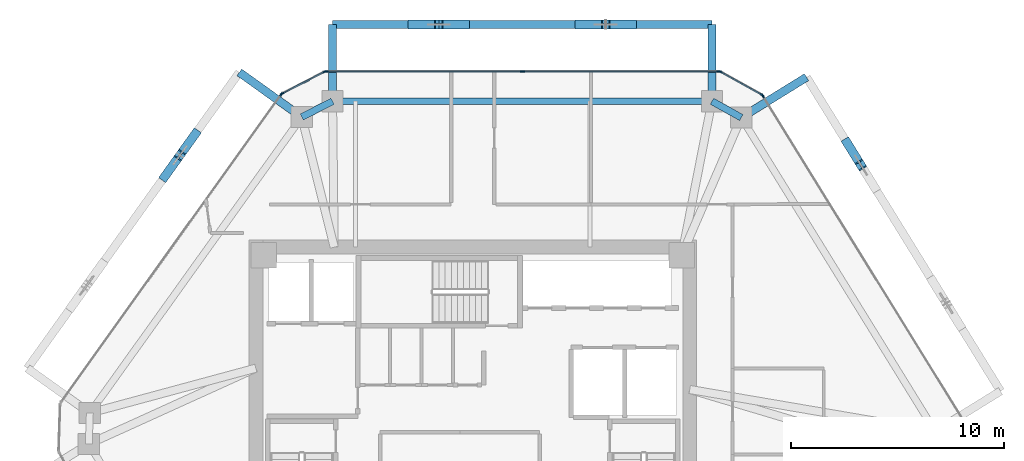
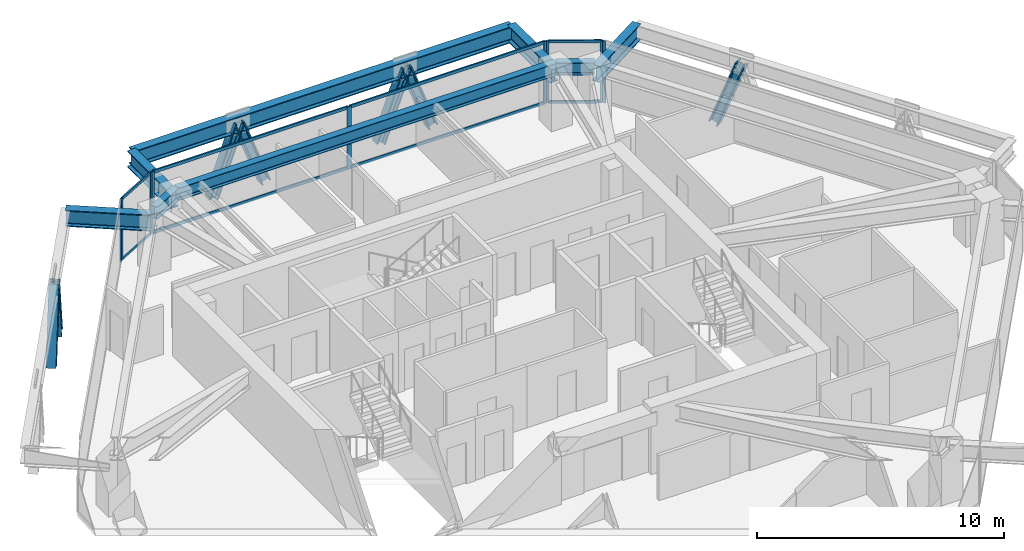
# One storey, part 6 of 14: 24 members, 8 beams, 5 elements without a shape of their own.
"""IFC4 building model written with IfcOpenShell, lengths in metres."""

from ifc_helpers import new_model, si_unit, direction, frame, origin, origin_2d, place, context, subcontext, project, spatial, rectangle, i_section, extrude, source, transform, mapped, material, layer, layer_set, material_profile, profile_set, type_object, type_shapes, element, aggregate, save


model = new_model("IFC4")

# Units and contexts
model_context = context("Model", 3, precision=1e-05, world=origin(), true_north=direction((0.0, 1.0)))
body_context = subcontext(model_context, "Body", "Model", "MODEL_VIEW")
ifc_project = project(units=[si_unit("LENGTHUNIT", "METRE"), si_unit("AREAUNIT", "SQUARE_METRE"), si_unit("VOLUMEUNIT", "CUBIC_METRE"), si_unit("PLANEANGLEUNIT", "RADIAN"), si_unit("MASSUNIT", "GRAM", prefix="KILO")], contexts=[model_context])

# Site, building, storey
site_placement = place(None, origin())
site = spatial("IfcSite", under=ifc_project, at=site_placement, CompositionType="ELEMENT")
building_placement = place(site_placement, origin())
building = spatial("IfcBuilding", under=site, at=building_placement, Name="Durnholm Broadcast Tower", CompositionType="ELEMENT")
storey_placement = place(building_placement, frame((0.0, 0.0, 193.60009765625)))
storey = spatial("IfcBuildingStorey", under=building, at=storey_placement, Name="L53", CompositionType="ELEMENT", Elevation=193.60009765625)

# Beams
ifc_material_1 = material(Name="Steel ASTM A992 Grade 50", Category="steel")
ifc_material_profile_1 = material_profile(ifc_material_1, i_section(OverallWidth=0.385009765625, OverallDepth=0.802978515625, WebThickness=0.023681640625, FlangeThickness=0.0419921875, FilletRadius=0.032958984375, at=origin_2d()), Name="W30X261")
ifc_profile_set_1 = profile_set([ifc_material_profile_1], Name="Steel ASTM A992 Grade 50")
beam_type_1 = type_object("IfcBeamType", Name="BM-EXO-TIE", PredefinedType="USERDEFINED", material=ifc_profile_set_1)
shared_shape_1 = source(origin(), body_context, "Body", "SweptSolid", [
    extrude(i_section(OverallWidth=0.385009765625, OverallDepth=0.802978515625, WebThickness=0.023681640625, FlangeThickness=0.0419921875, FilletRadius=0.032958984375, at=origin_2d()), origin(), (0.0, 0.0, 1.0), 3.4560546875),
])
for number, where, z_axis, x_axis, name in (
    (1, (12.713134765625, 14.327880859375, 2.308349609375), (0.850662348375, 0.525712439512, 0.0), (-0.525712439512, 0.850662348375, 0.0), "L53 exoskeleton stand-off tie bracket F3.2"),
    (2, (-8.138916015625, 14.360107421875, 2.308349609375), (-0.813079048773, 0.582153296346, 0.0), (-0.582153296346, -0.813079048773, 0.0), "L53 exoskeleton stand-off tie bracket F5.1"),
):
    element("IfcBeam", number, at=place(storey_placement, frame(where, z_axis=z_axis, x_axis=x_axis)), inside=storey, type_object=beam_type_1, Name=name, ObjectType="GIRDER", PredefinedType="USERDEFINED", context=body_context, shape_type="MappedRepresentation", body=[
        mapped(shared_shape_1, transform((0.0, 0.0, 0.0), x_axis=(1.0, 0.0, 0.0), y_axis=(0.0, 1.0, 0.0), z_axis=(0.0, 0.0, 1.0), scale=1.0)),
    ])
shared_shape_2 = source(origin(), body_context, "Body", "SweptSolid", [
    extrude(i_section(OverallWidth=0.385009765625, OverallDepth=0.802978515625, WebThickness=0.023681640625, FlangeThickness=0.0419921875, FilletRadius=0.032958984375, at=origin_2d()), origin(), (0.0, 0.0, 1.0), 3.455810546875),
])
for number, where, z_axis, x_axis, name in (
    (3, (11.217529296875, 15.162109375, 2.308349609375), (0.0, 1.0, 0.0), (-1.0, 0.0, 0.0), "L53 exoskeleton stand-off tie bracket F4.1"),
    (4, (-6.57861328125, 15.162109375, 2.308349609375), (0.0, 1.0, 0.0), (-1.0, 0.0, 0.0), "L53 exoskeleton stand-off tie bracket F4.2"),
):
    element("IfcBeam", number, at=place(storey_placement, frame(where, z_axis=z_axis, x_axis=x_axis)), inside=storey, type_object=beam_type_1, Name=name, ObjectType="GIRDER", PredefinedType="USERDEFINED", context=body_context, shape_type="MappedRepresentation", body=[
        mapped(shared_shape_2, transform((0.0, 0.0, 0.0), x_axis=(1.0, 0.0, 0.0), y_axis=(0.0, 1.0, 0.0), z_axis=(0.0, 0.0, 1.0), scale=1.0)),
    ])
ifc_material_profile_2 = material_profile(ifc_material_1, i_section(OverallWidth=0.3251953125, OverallDepth=0.6162109375, WebThickness=0.013916015625, FlangeThickness=0.021484375, FilletRadius=0.02783203125, at=origin_2d()), Name="W24X117")
ifc_profile_set_2 = profile_set([ifc_material_profile_2], Name="Steel ASTM A992 Grade 50")
beam_type_2 = type_object("IfcBeamType", Name="STL-SP-W24X117", PredefinedType="SPANDREL", material=ifc_profile_set_2)
shared_shape_3 = source(origin(), body_context, "Body", "SweptSolid", [
    extrude(i_section(OverallWidth=0.3251953125, OverallDepth=0.6162109375, WebThickness=0.013916015625, FlangeThickness=0.021484375, FilletRadius=0.02783203125, at=origin_2d()), origin(), (0.0, 0.0, 1.0), 1.62255859375),
])
beam_1_placement = place(storey_placement, frame((-8.021728515625, 14.2763671875, 2.73681640625), z_axis=(0.889406668864, 0.45711680934, 0.0), x_axis=(-0.45711680934, 0.889406668864, 0.0)))
element("IfcBeam", 5, at=beam_1_placement, inside=storey, type_object=beam_type_2, Name="L53 perimeter spandrel girder 04", PredefinedType="SPANDREL", context=body_context, shape_type="MappedRepresentation", body=[
    mapped(shared_shape_3, transform((0.0, 0.0, 0.0), x_axis=(1.0, 0.0, 0.0), y_axis=(0.0, 1.0, 0.0), z_axis=(0.0, 0.0, 1.0), scale=1.0)),
])
shared_shape_4 = source(origin(), body_context, "Body", "SweptSolid", [
    extrude(i_section(OverallWidth=0.3251953125, OverallDepth=0.6162109375, WebThickness=0.013916015625, FlangeThickness=0.021484375, FilletRadius=0.02783203125, at=origin_2d()), origin(), (0.0, 0.0, 1.0), 17.796142578125),
])
beam_2_placement = place(storey_placement, frame((-6.57861328125, 15.01806640625, 2.73681640625), z_axis=(1.0, 0.0, 0.0), x_axis=(0.0, 1.0, 0.0)))
element("IfcBeam", 6, at=beam_2_placement, inside=storey, type_object=beam_type_2, Name="L53 perimeter spandrel girder 05", PredefinedType="SPANDREL", context=body_context, shape_type="MappedRepresentation", body=[
    mapped(shared_shape_4, transform((0.0, 0.0, 0.0), x_axis=(1.0, 0.0, 0.0), y_axis=(0.0, 1.0, 0.0), z_axis=(0.0, 0.0, 1.0), scale=1.0)),
])
shared_shape_5 = source(origin(), body_context, "Body", "SweptSolid", [
    extrude(i_section(OverallWidth=0.3251953125, OverallDepth=0.6162109375, WebThickness=0.013916015625, FlangeThickness=0.021484375, FilletRadius=0.02783203125, at=origin_2d()), origin(), (0.0, 0.0, 1.0), 1.572509765625),
])
type_shapes(beam_type_2, [shared_shape_3, shared_shape_4, shared_shape_5])
beam_3_placement = place(storey_placement, frame((11.217529296875, 15.01806640625, 2.73681640625), z_axis=(0.873365144476, -0.487066037017, 0.0), x_axis=(0.487066037017, 0.873365144476, 0.0)))
element("IfcBeam", 7, at=beam_3_placement, inside=storey, type_object=beam_type_2, Name="L53 perimeter spandrel girder 06", PredefinedType="SPANDREL", context=body_context, shape_type="MappedRepresentation", body=[
    mapped(shared_shape_5, transform((0.0, 0.0, 0.0), x_axis=(1.0, 0.0, 0.0), y_axis=(0.0, 1.0, 0.0), z_axis=(0.0, 0.0, 1.0), scale=1.0)),
])
shared_shape_6 = source(origin(), body_context, "Body", "SweptSolid", [
    extrude(i_section(OverallWidth=0.385009765625, OverallDepth=0.802978515625, WebThickness=0.023681640625, FlangeThickness=0.0419921875, FilletRadius=0.032958984375, at=origin_2d()), origin(), (0.0, 0.0, 1.0), 17.796142578125),
])
type_shapes(beam_type_1, [shared_shape_1, shared_shape_2, shared_shape_6])
beam_4_placement = place(storey_placement, frame((11.217529296875, 18.617919921875, 2.308349609375), z_axis=(-1.0, 0.0, 0.0), x_axis=(0.0, -1.0, 0.0)))
element("IfcBeam", 8, at=beam_4_placement, inside=storey, type_object=beam_type_1, Name="L53 exoskeleton collector spandrel F4", PredefinedType="SPANDREL", context=body_context, shape_type="MappedRepresentation", body=[
    mapped(shared_shape_6, transform((0.0, 0.0, 0.0), x_axis=(1.0, 0.0, 0.0), y_axis=(0.0, 1.0, 0.0), z_axis=(0.0, 0.0, 1.0), scale=1.0)),
])

# Members
ifc_material_2 = material(Name="Steel ASTM A913 Grade 65", Category="steel")
ifc_material_profile_3 = material_profile(ifc_material_2, i_section(OverallWidth=0.412109375, OverallDepth=0.434814453125, WebThickness=0.035888671875, FlangeThickness=0.057373046875, FilletRadius=0.030517578125, at=origin_2d()), Name="W14X311")
ifc_profile_set_3 = profile_set([ifc_material_profile_3], Name="Steel ASTM A913 Grade 65")
member_type_1 = type_object("IfcMemberType", Name="STL-DG-W14X311", PredefinedType="BRACE", material=ifc_profile_set_3)
shared_shape_7 = source(origin(), body_context, "Body", "SweptSolid", [
    extrude(i_section(OverallWidth=0.412109375, OverallDepth=0.434814453125, WebThickness=0.035888671875, FlangeThickness=0.057373046875, FilletRadius=0.030517578125, at=origin_2d()), origin(), (0.0, 0.0, 1.0), 3.52294921875),
])
type_shapes(member_type_1, [shared_shape_7])
for number, where, z_axis, x_axis, name in (
    (9, (17.551513671875, 13.072998046875, -0.991455078125), (0.184127186998, -0.297985285695, 0.936643981733), (0.850699125742, 0.525652924906, 0.0), "L53 stand-off diagrid brace F3.D2.2"),
    (10, (7.468505859375, 18.617919921875, -0.991455078125), (-0.350242321485, 0.0, 0.93665912489), (0.0, -1.0, 0.0), "L53 stand-off diagrid brace F4.D1.1"),
    (11, (5.000732421875, 18.617919921875, -0.991455078125), (0.350242321485, 0.0, 0.93665912489), (0.0, 1.0, 0.0), "L53 stand-off diagrid brace F4.D1.2"),
    (12, (-0.36181640625, 18.617919921875, -0.991455078125), (-0.350242321485, 0.0, 0.93665912489), (0.0, -1.0, 0.0), "L53 stand-off diagrid brace F4.D2.1"),
    (13, (-2.82958984375, 18.617919921875, -0.991455078125), (0.350242321485, 0.0, 0.93665912489), (0.0, 1.0, 0.0), "L53 stand-off diagrid brace F4.D2.2"),
    (14, (-13.013427734375, 13.48876953125, -0.991455078125), (-0.203882467945, -0.284756308901, 0.936667381628), (0.813077820009, -0.582155012526, 0.0), "L53 stand-off diagrid brace F5.D1.1"),
    (15, (-14.449951171875, 11.482421875, -0.991455078125), (0.203882467945, 0.284756308901, 0.936667381628), (-0.813077820009, 0.582155012526, 0.0), "L53 stand-off diagrid brace F5.D1.2"),
):
    element("IfcMember", number, at=place(storey_placement, frame(where, z_axis=z_axis, x_axis=x_axis)), inside=storey, type_object=member_type_1, Name=name, PredefinedType="BRACE", context=body_context, shape_type="MappedRepresentation", body=[
        mapped(shared_shape_7, transform((0.0, 0.0, 0.0), x_axis=(1.0, 0.0, 0.0), y_axis=(0.0, 1.0, 0.0), z_axis=(0.0, 0.0, 1.0), scale=1.0)),
    ])

# Curtain wall, members
ifc_material_3 = material(Name="Aluminium and Solar Control IGU", Category="aluminium")
ifc_layer_1 = layer(ifc_material_3, 0.1650390625)
ifc_layer_set_1 = layer_set([ifc_layer_1], Name="Aluminium and Solar Control IGU")
curtain_wall_type_1 = type_object("IfcCurtainWallType", Name="CW-SYS-5", PredefinedType="NOTDEFINED", material=ifc_layer_set_1)
curtain_wall_1_placement = place(storey_placement, origin())
curtain_wall_1 = element("IfcCurtainWall", 16, at=curtain_wall_1_placement, inside=storey, type_object=curtain_wall_type_1, Name="L53 curtain wall CW-CORNER CW-L53-CRN-03", PredefinedType="NOTDEFINED")
ifc_material_4 = material(Name="Aluminium 6063-T6", Category="aluminium")
ifc_material_profile_4 = material_profile(ifc_material_4, rectangle(XDim=0.06494140625, YDim=0.1650390625, at=origin_2d()), Name="CWM65X165")
ifc_profile_set_4 = profile_set([ifc_material_profile_4], Name="Aluminium 6063-T6")
member_type_2 = type_object("IfcMemberType", Name="CW-SYS-5-MUL", PredefinedType="MULLION", material=ifc_profile_set_4)
shared_shape_8 = source(origin(), body_context, "Body", "SweptSolid", [
    extrude(rectangle(XDim=0.06494140625, YDim=0.1650390625, at=origin_2d()), origin(), (0.0, 0.0, 1.0), 3.059814453125),
])
type_shapes(member_type_2, [shared_shape_8])
member_1_placement = place(storey_placement, frame((-8.93408203125, 15.381591796875, 0.0), z_axis=(0.0, 0.0, 1.0), x_axis=(-0.457081764476, 0.889424679545, 0.0)))
member_1 = element("IfcMember", 17, at=member_1_placement, type_object=member_type_2, Name="CW-CORNER mullion 1", PredefinedType="MULLION", context=body_context, shape_type="MappedRepresentation", body=[
    mapped(shared_shape_8, transform((0.0, 0.0, 0.0), x_axis=(1.0, 0.0, 0.0), y_axis=(0.0, 1.0, 0.0), z_axis=(0.0, 0.0, 1.0), scale=1.0)),
])
member_2_placement = place(storey_placement, frame((-6.9462890625, 16.403076171875, 0.0), z_axis=(0.0, 0.0, 1.0), x_axis=(-0.457081764476, 0.889424679545, 0.0)))
member_2 = element("IfcMember", 18, at=member_2_placement, type_object=member_type_2, Name="CW-CORNER mullion 2", PredefinedType="MULLION", context=body_context, shape_type="MappedRepresentation", body=[
    mapped(shared_shape_8, transform((0.0, 0.0, 0.0), x_axis=(1.0, 0.0, 0.0), y_axis=(0.0, 1.0, 0.0), z_axis=(0.0, 0.0, 1.0), scale=1.0)),
])

curtain_wall_2_placement = place(storey_placement, origin())
curtain_wall_2 = element("IfcCurtainWall", 19, at=curtain_wall_2_placement, inside=storey, type_object=curtain_wall_type_1, Name="L53 curtain wall CW-CORNER CW-L53-CRN-05", PredefinedType="NOTDEFINED")
member_3_placement = place(storey_placement, frame((11.60986328125, 16.402099609375, 0.0), z_axis=(0.0, 0.0, 1.0), x_axis=(0.486986043316, 0.873409751271, 0.0)))
member_3 = element("IfcMember", 20, at=member_3_placement, type_object=member_type_2, Name="CW-CORNER mullion 1", PredefinedType="MULLION", context=body_context, shape_type="MappedRepresentation", body=[
    mapped(shared_shape_8, transform((0.0, 0.0, 0.0), x_axis=(1.0, 0.0, 0.0), y_axis=(0.0, 1.0, 0.0), z_axis=(0.0, 0.0, 1.0), scale=1.0)),
])
member_4_placement = place(storey_placement, frame((13.56201171875, 15.313720703125, 0.0), z_axis=(0.0, 0.0, 1.0), x_axis=(0.486986043316, 0.873409751271, 0.0)))
member_4 = element("IfcMember", 21, at=member_4_placement, type_object=member_type_2, Name="CW-CORNER mullion 2", PredefinedType="MULLION", context=body_context, shape_type="MappedRepresentation", body=[
    mapped(shared_shape_8, transform((0.0, 0.0, 0.0), x_axis=(1.0, 0.0, 0.0), y_axis=(0.0, 1.0, 0.0), z_axis=(0.0, 0.0, 1.0), scale=1.0)),
])

# Member
ifc_material_profile_5 = material_profile(ifc_material_4, rectangle(XDim=0.06494140625, YDim=0.1298828125, at=origin_2d()), Name="CWT65X130")
ifc_profile_set_5 = profile_set([ifc_material_profile_5], Name="Aluminium 6063-T6")
member_type_3 = type_object("IfcMemberType", Name="CW-SYS-5-TRN", PredefinedType="USERDEFINED", material=ifc_profile_set_5)
shared_shape_9 = source(origin(), body_context, "Body", "SweptSolid", [
    extrude(rectangle(XDim=0.06494140625, YDim=0.1298828125, at=origin_2d()), origin(), (0.0, 0.0, 1.0), 2.169921875),
])
type_shapes(member_type_3, [shared_shape_9])
member_5_placement = place(storey_placement, frame((-8.9052734375, 15.396484375, 0.032470703125), z_axis=(0.889468148591, 0.456997169185, 0.0), x_axis=(-0.456997169185, 0.889468148591, 0.0)))
member_5 = element("IfcMember", 22, at=member_5_placement, type_object=member_type_3, Name="CW-CORNER transom 1.1", ObjectType="TRANSOM", PredefinedType="USERDEFINED", context=body_context, shape_type="MappedRepresentation", body=[
    mapped(shared_shape_9, transform((0.0, 0.0, 0.0), x_axis=(1.0, 0.0, 0.0), y_axis=(0.0, 1.0, 0.0), z_axis=(0.0, 0.0, 1.0), scale=1.0)),
])

member_6_placement = place(storey_placement, frame((-8.9052734375, 15.396484375, 3.02734375), z_axis=(0.889468148591, 0.456997169185, 0.0), x_axis=(-0.456997169185, 0.889468148591, 0.0)))
member_6 = element("IfcMember", 23, at=member_6_placement, type_object=member_type_3, Name="CW-CORNER transom 1.2", ObjectType="TRANSOM", PredefinedType="USERDEFINED", context=body_context, shape_type="MappedRepresentation", body=[
    mapped(shared_shape_9, transform((0.0, 0.0, 0.0), x_axis=(1.0, 0.0, 0.0), y_axis=(0.0, 1.0, 0.0), z_axis=(0.0, 0.0, 1.0), scale=1.0)),
])

aggregate(curtain_wall_1, [member_1, member_2, member_5, member_6])

member_7_placement = place(storey_placement, frame((11.63818359375, 16.38623046875, 0.032470703125), z_axis=(0.873429215361, -0.48695113282, 0.0), x_axis=(0.48695113282, 0.873429215361, 0.0)))
member_7 = element("IfcMember", 24, at=member_7_placement, type_object=member_type_3, Name="CW-CORNER transom 1.1", ObjectType="TRANSOM", PredefinedType="USERDEFINED", context=body_context, shape_type="MappedRepresentation", body=[
    mapped(shared_shape_9, transform((0.0, 0.0, 0.0), x_axis=(1.0, 0.0, 0.0), y_axis=(0.0, 1.0, 0.0), z_axis=(0.0, 0.0, 1.0), scale=1.0)),
])

member_8_placement = place(storey_placement, frame((11.63818359375, 16.38623046875, 3.02734375), z_axis=(0.873429215361, -0.48695113282, 0.0), x_axis=(0.48695113282, 0.873429215361, 0.0)))
member_8 = element("IfcMember", 25, at=member_8_placement, type_object=member_type_3, Name="CW-CORNER transom 1.2", ObjectType="TRANSOM", PredefinedType="USERDEFINED", context=body_context, shape_type="MappedRepresentation", body=[
    mapped(shared_shape_9, transform((0.0, 0.0, 0.0), x_axis=(1.0, 0.0, 0.0), y_axis=(0.0, 1.0, 0.0), z_axis=(0.0, 0.0, 1.0), scale=1.0)),
])

aggregate(curtain_wall_2, [member_3, member_4, member_7, member_8])

# Curtain wall, members
ifc_layer_2 = layer(ifc_material_3, 0.18994140625)
ifc_layer_set_2 = layer_set([ifc_layer_2], Name="Aluminium and Solar Control IGU")
curtain_wall_type_2 = type_object("IfcCurtainWallType", Name="CW-SYS-4", PredefinedType="NOTDEFINED", material=ifc_layer_set_2)
curtain_wall_3_placement = place(storey_placement, origin())
curtain_wall_3 = element("IfcCurtainWall", 26, at=curtain_wall_3_placement, inside=storey, type_object=curtain_wall_type_2, Name="L53 curtain wall CW-Z34-VIS CW-L53-F04", PredefinedType="NOTDEFINED")
ifc_material_profile_6 = material_profile(ifc_material_4, rectangle(XDim=0.070068359375, YDim=0.14990234375, at=origin_2d()), Name="CWT70X150")
ifc_profile_set_6 = profile_set([ifc_material_profile_6], Name="Aluminium 6063-T6")
member_type_4 = type_object("IfcMemberType", Name="CW-SYS-4-TRN", PredefinedType="USERDEFINED", material=ifc_profile_set_6)
shared_shape_10 = source(origin(), body_context, "Body", "SweptSolid", [
    extrude(rectangle(XDim=0.070068359375, YDim=0.14990234375, at=origin_2d()), origin(), (0.0, 0.0, 1.0), 9.14453125),
])
type_shapes(member_type_4, [shared_shape_10])
member_9_placement = place(storey_placement, frame((-6.847412109375, 16.41796875, 0.034912109375), z_axis=(1.0, 0.0, 0.0), x_axis=(0.0, 1.0, 0.0)))
member_9 = element("IfcMember", 27, at=member_9_placement, type_object=member_type_4, Name="CW-Z34-VIS transom 1.1", ObjectType="TRANSOM", PredefinedType="USERDEFINED", context=body_context, shape_type="MappedRepresentation", body=[
    mapped(shared_shape_10, transform((0.0, 0.0, 0.0), x_axis=(1.0, 0.0, 0.0), y_axis=(0.0, 1.0, 0.0), z_axis=(0.0, 0.0, 1.0), scale=1.0)),
])
member_10_placement = place(storey_placement, frame((-6.847412109375, 16.41796875, 3.02490234375), z_axis=(1.0, 0.0, 0.0), x_axis=(0.0, 1.0, 0.0)))
member_10 = element("IfcMember", 28, at=member_10_placement, type_object=member_type_4, Name="CW-Z34-VIS transom 1.2", ObjectType="TRANSOM", PredefinedType="USERDEFINED", context=body_context, shape_type="MappedRepresentation", body=[
    mapped(shared_shape_10, transform((0.0, 0.0, 0.0), x_axis=(1.0, 0.0, 0.0), y_axis=(0.0, 1.0, 0.0), z_axis=(0.0, 0.0, 1.0), scale=1.0)),
])
member_11_placement = place(storey_placement, frame((2.366943359375, 16.41796875, 0.034912109375), z_axis=(1.0, 0.0, 0.0), x_axis=(0.0, 1.0, 0.0)))
member_11 = element("IfcMember", 29, at=member_11_placement, type_object=member_type_4, Name="CW-Z34-VIS transom 2.1", ObjectType="TRANSOM", PredefinedType="USERDEFINED", context=body_context, shape_type="MappedRepresentation", body=[
    mapped(shared_shape_10, transform((0.0, 0.0, 0.0), x_axis=(1.0, 0.0, 0.0), y_axis=(0.0, 1.0, 0.0), z_axis=(0.0, 0.0, 1.0), scale=1.0)),
])
member_12_placement = place(storey_placement, frame((2.366943359375, 16.41796875, 3.02490234375), z_axis=(1.0, 0.0, 0.0), x_axis=(0.0, 1.0, 0.0)))
member_12 = element("IfcMember", 30, at=member_12_placement, type_object=member_type_4, Name="CW-Z34-VIS transom 2.2", ObjectType="TRANSOM", PredefinedType="USERDEFINED", context=body_context, shape_type="MappedRepresentation", body=[
    mapped(shared_shape_10, transform((0.0, 0.0, 0.0), x_axis=(1.0, 0.0, 0.0), y_axis=(0.0, 1.0, 0.0), z_axis=(0.0, 0.0, 1.0), scale=1.0)),
])

# Curtain wall, member
curtain_wall_4_placement = place(storey_placement, origin())
curtain_wall_4 = element("IfcCurtainWall", 31, at=curtain_wall_4_placement, inside=storey, type_object=curtain_wall_type_2, Name="L53 curtain wall CW-Z34-VIS CW-L53-F02", PredefinedType="NOTDEFINED")
ifc_material_profile_7 = material_profile(ifc_material_4, rectangle(XDim=0.070068359375, YDim=0.18994140625, at=origin_2d()), Name="CWM70X190")
ifc_profile_set_7 = profile_set([ifc_material_profile_7], Name="Aluminium 6063-T6")
member_type_5 = type_object("IfcMemberType", Name="CW-SYS-4-MUL", PredefinedType="MULLION", material=ifc_profile_set_7)
shared_shape_11 = source(origin(), body_context, "Body", "SweptSolid", [
    extrude(rectangle(XDim=0.070068359375, YDim=0.18994140625, at=origin_2d()), origin(), (0.0, 0.0, 1.0), 3.059814453125),
])
type_shapes(member_type_5, [shared_shape_11])
member_13_placement = place(storey_placement, frame((-8.9833984375, 15.338134765625, 0.0), z_axis=(0.0, 0.0, 1.0), x_axis=(-0.813089262696, 0.582139030549, 0.0)))
member_13 = element("IfcMember", 32, at=member_13_placement, type_object=member_type_5, Name="CW-Z34-VIS mullion 2", PredefinedType="MULLION", context=body_context, shape_type="MappedRepresentation", body=[
    mapped(shared_shape_11, transform((0.0, 0.0, 0.0), x_axis=(1.0, 0.0, 0.0), y_axis=(0.0, 1.0, 0.0), z_axis=(0.0, 0.0, 1.0), scale=1.0)),
])
aggregate(curtain_wall_4, [member_13])

# Member
member_14_placement = place(storey_placement, frame((-6.88232421875, 16.41796875, 0.0), z_axis=(0.0, 0.0, 1.0), x_axis=(0.0, 1.0, 0.0)))
member_14 = element("IfcMember", 33, at=member_14_placement, type_object=member_type_5, Name="CW-Z34-VIS mullion 1", PredefinedType="MULLION", context=body_context, shape_type="MappedRepresentation", body=[
    mapped(shared_shape_11, transform((0.0, 0.0, 0.0), x_axis=(1.0, 0.0, 0.0), y_axis=(0.0, 1.0, 0.0), z_axis=(0.0, 0.0, 1.0), scale=1.0)),
])

member_15_placement = place(storey_placement, frame((2.33203125, 16.41796875, 0.0), z_axis=(0.0, 0.0, 1.0), x_axis=(0.0, 1.0, 0.0)))
member_15 = element("IfcMember", 34, at=member_15_placement, type_object=member_type_5, Name="CW-Z34-VIS mullion 2", PredefinedType="MULLION", context=body_context, shape_type="MappedRepresentation", body=[
    mapped(shared_shape_11, transform((0.0, 0.0, 0.0), x_axis=(1.0, 0.0, 0.0), y_axis=(0.0, 1.0, 0.0), z_axis=(0.0, 0.0, 1.0), scale=1.0)),
])

member_16_placement = place(storey_placement, frame((11.54638671875, 16.41796875, 0.0), z_axis=(0.0, 0.0, 1.0), x_axis=(0.0, 1.0, 0.0)))
member_16 = element("IfcMember", 35, at=member_16_placement, type_object=member_type_5, Name="CW-Z34-VIS mullion 3", PredefinedType="MULLION", context=body_context, shape_type="MappedRepresentation", body=[
    mapped(shared_shape_11, transform((0.0, 0.0, 0.0), x_axis=(1.0, 0.0, 0.0), y_axis=(0.0, 1.0, 0.0), z_axis=(0.0, 0.0, 1.0), scale=1.0)),
])

aggregate(curtain_wall_3, [member_14, member_15, member_16, member_9, member_10, member_11, member_12])

# Curtain wall, member
curtain_wall_5_placement = place(storey_placement, origin())
curtain_wall_5 = element("IfcCurtainWall", 36, at=curtain_wall_5_placement, inside=storey, type_object=curtain_wall_type_2, Name="L53 curtain wall CW-Z34-VIS CW-L53-F06", PredefinedType="NOTDEFINED")
member_17_placement = place(storey_placement, frame((13.608642578125, 15.26806640625, 0.0), z_axis=(0.0, 0.0, 1.0), x_axis=(0.850671426092, 0.525697750452, 0.0)))
member_17 = element("IfcMember", 37, at=member_17_placement, type_object=member_type_5, Name="CW-Z34-VIS mullion 1", PredefinedType="MULLION", context=body_context, shape_type="MappedRepresentation", body=[
    mapped(shared_shape_11, transform((0.0, 0.0, 0.0), x_axis=(1.0, 0.0, 0.0), y_axis=(0.0, 1.0, 0.0), z_axis=(0.0, 0.0, 1.0), scale=1.0)),
])
aggregate(curtain_wall_5, [member_17])

save(model, "model.ifc")
